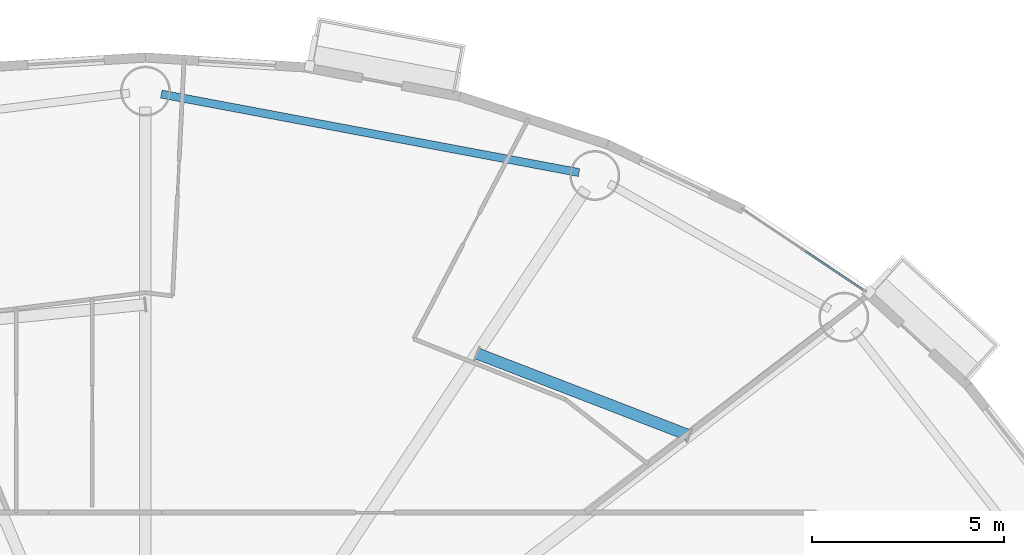
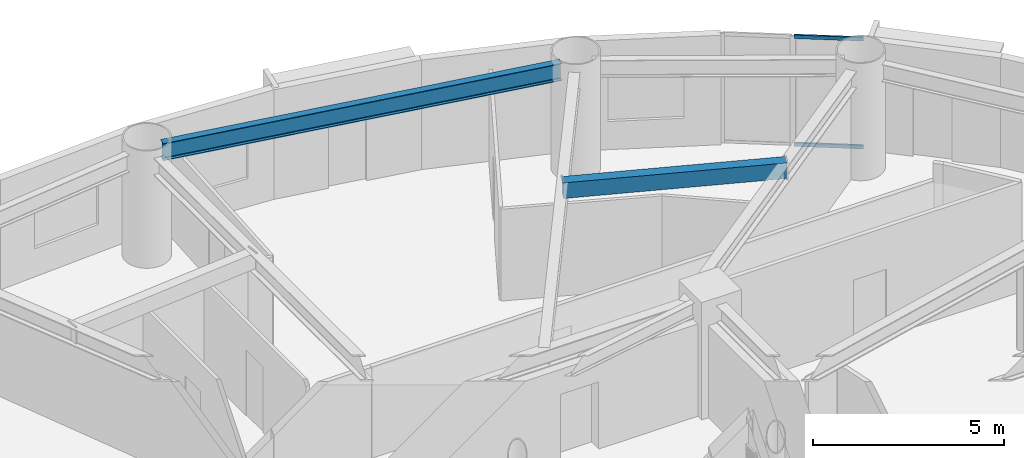
# One storey, part 4 of 21: 2 beams, 2 members, 1 element without a shape of its own.
"""IFC4 building model written with IfcOpenShell, lengths in metres."""

from ifc_helpers import new_model, si_unit, direction, frame, origin, origin_2d, place, context, subcontext, project, spatial, hollow_rectangle, i_section, extrude, source, transform, mapped, material, layer, layer_set, material_profile, profile_set, type_object, element, aggregate, save


model = new_model("IFC4")

# Units and contexts
model_context = context("Model", 3, precision=1e-05, world=origin(), true_north=direction((0.0, 1.0)))
body_context = subcontext(model_context, "Body", "Model", "MODEL_VIEW")
ifc_project = project(units=[si_unit("LENGTHUNIT", "METRE"), si_unit("AREAUNIT", "SQUARE_METRE"), si_unit("VOLUMEUNIT", "CUBIC_METRE"), si_unit("PLANEANGLEUNIT", "RADIAN"), si_unit("MASSUNIT", "GRAM", prefix="KILO")], contexts=[model_context])

# Site, building, storey
site_placement = place(None, origin())
site = spatial("IfcSite", under=ifc_project, at=site_placement, CompositionType="ELEMENT")
building_placement = place(site_placement, origin())
building = spatial("IfcBuilding", under=site, at=building_placement, Name="Linh Dai School and Residence Tower", CompositionType="ELEMENT")
storey_placement = place(building_placement, frame((0.0, 0.0, 189.89990234375)))
storey = spatial("IfcBuildingStorey", under=building, at=storey_placement, Name="L46", CompositionType="ELEMENT", Elevation=189.89990234375)

# Beams
ifc_material_1 = material(Name="Structural Steel S355JR", Category="steel")
ifc_material_profile_1 = material_profile(ifc_material_1, hollow_rectangle(XDim=0.300048828125, YDim=0.5, WallThickness=0.01611328125, at=origin_2d()), Name="RHS 500x300x16")
ifc_profile_set_1 = profile_set([ifc_material_profile_1], Name="Structural Steel S355JR")
beam_type_1 = type_object("IfcBeamType", Name="BM-BX5", PredefinedType="BEAM", material=ifc_profile_set_1)
beam_1_placement = place(storey_placement, frame((50.1640625, 37.860107421875, 3.25), z_axis=(-0.932827710026, 0.360322721193, 0.0), x_axis=(-0.360322721193, -0.932827710026, 0.0)))
element("IfcBeam", 1, at=beam_1_placement, inside=storey, type_object=beam_type_1, Name="L46 Secondary Circumferential Floor Beam 02", PredefinedType="BEAM", context=body_context, shape_type="SweptSolid", body=[
    extrude(hollow_rectangle(XDim=0.300048828125, YDim=0.5, WallThickness=0.01611328125, at=origin_2d()), origin(), (0.0, 0.0, 1.0), 5.927978515625),
])
ifc_material_profile_2 = material_profile(ifc_material_1, i_section(OverallWidth=0.2099609375, OverallDepth=0.550048828125, WebThickness=0.010986328125, FlangeThickness=0.01708984375, FilletRadius=0.02392578125, at=origin_2d()), Name="IPE 550")
ifc_profile_set_2 = profile_set([ifc_material_profile_2], Name="Structural Steel S355JR")
beam_type_2 = type_object("IfcBeamType", Name="BM-RB55", PredefinedType="BEAM", material=ifc_profile_set_2)
beam_2_placement = place(storey_placement, frame((47.292724609375, 44.70849609375, 3.22509765625), z_axis=(-0.98280721278, 0.184634727255, 0.0), x_axis=(-0.184634727255, -0.98280721278, 0.0)))
element("IfcBeam", 2, at=beam_2_placement, inside=storey, type_object=beam_type_2, Name="L46 Perimeter Elliptical Ring Beam 04", PredefinedType="BEAM", context=body_context, shape_type="SweptSolid", body=[
    extrude(i_section(OverallWidth=0.2099609375, OverallDepth=0.550048828125, WebThickness=0.010986328125, FlangeThickness=0.01708984375, FilletRadius=0.02392578125, at=origin_2d()), origin(), (0.0, 0.0, 1.0), 11.0703125),
])

# Curtain wall, members
ifc_material_2 = material(Name="Aluminium Anodised Curtain Wall", Category="aluminium")
ifc_layer = layer(ifc_material_2, 0.14990234375)
ifc_layer_set = layer_set([ifc_layer], Name="Aluminium Anodised Curtain Wall")
curtain_wall_type = type_object("IfcCurtainWallType", Name="CW-SYS-4", PredefinedType="USERDEFINED", material=ifc_layer_set)
curtain_wall_placement = place(storey_placement, origin())
curtain_wall = element("IfcCurtainWall", 3, at=curtain_wall_placement, inside=storey, type_object=curtain_wall_type, Name="L46 CW4 Curtain Wall 06", ObjectType="RIBBON CURTAIN WALL", PredefinedType="USERDEFINED")
ifc_material_3 = material(Name="Aluminium Alloy 6063-T6", Category="aluminium")
ifc_material_profile_3 = material_profile(ifc_material_3, hollow_rectangle(XDim=0.052001953125, YDim=0.114990234375, WallThickness=0.00390625, at=origin_2d()), Name="RHS 115x52x4")
ifc_profile_set_3 = profile_set([ifc_material_profile_3], Name="Aluminium Alloy 6063-T6")
member_type = type_object("IfcMemberType", Name="CW-SYS-4-TRN", PredefinedType="USERDEFINED", material=ifc_profile_set_3)
shared_shape = source(origin(), body_context, "Body", "SweptSolid", [
    extrude(hollow_rectangle(XDim=0.052001953125, YDim=0.114990234375, WallThickness=0.00390625, at=origin_2d()), origin(), (0.0, 0.0, 1.0), 1.822021484375),
])
member_1_placement = place(storey_placement, frame((53.17431640625, 42.67236328125, 0.026123046875), z_axis=(0.831204095485, -0.555967401607, 0.0), x_axis=(0.555967401607, 0.831204095485, 0.0)))
member_1 = element("IfcMember", 4, at=member_1_placement, type_object=member_type, Name="CW4 transom 2.1", ObjectType="TRANSOM", PredefinedType="USERDEFINED", context=body_context, shape_type="MappedRepresentation", body=[
    mapped(shared_shape, transform((0.0, 0.0, 0.0), x_axis=(1.0, 0.0, 0.0), y_axis=(0.0, 1.0, 0.0), z_axis=(0.0, 0.0, 1.0), scale=1.0)),
])
member_2_placement = place(storey_placement, frame((53.17431640625, 42.67236328125, 3.47412109375), z_axis=(0.831204095485, -0.555967401607, 0.0), x_axis=(0.555967401607, 0.831204095485, 0.0)))
member_2 = element("IfcMember", 5, at=member_2_placement, type_object=member_type, Name="CW4 transom 2.2", ObjectType="TRANSOM", PredefinedType="USERDEFINED", context=body_context, shape_type="MappedRepresentation", body=[
    mapped(shared_shape, transform((0.0, 0.0, 0.0), x_axis=(1.0, 0.0, 0.0), y_axis=(0.0, 1.0, 0.0), z_axis=(0.0, 0.0, 1.0), scale=1.0)),
])
aggregate(curtain_wall, [member_1, member_2])

save(model, "model.ifc")
